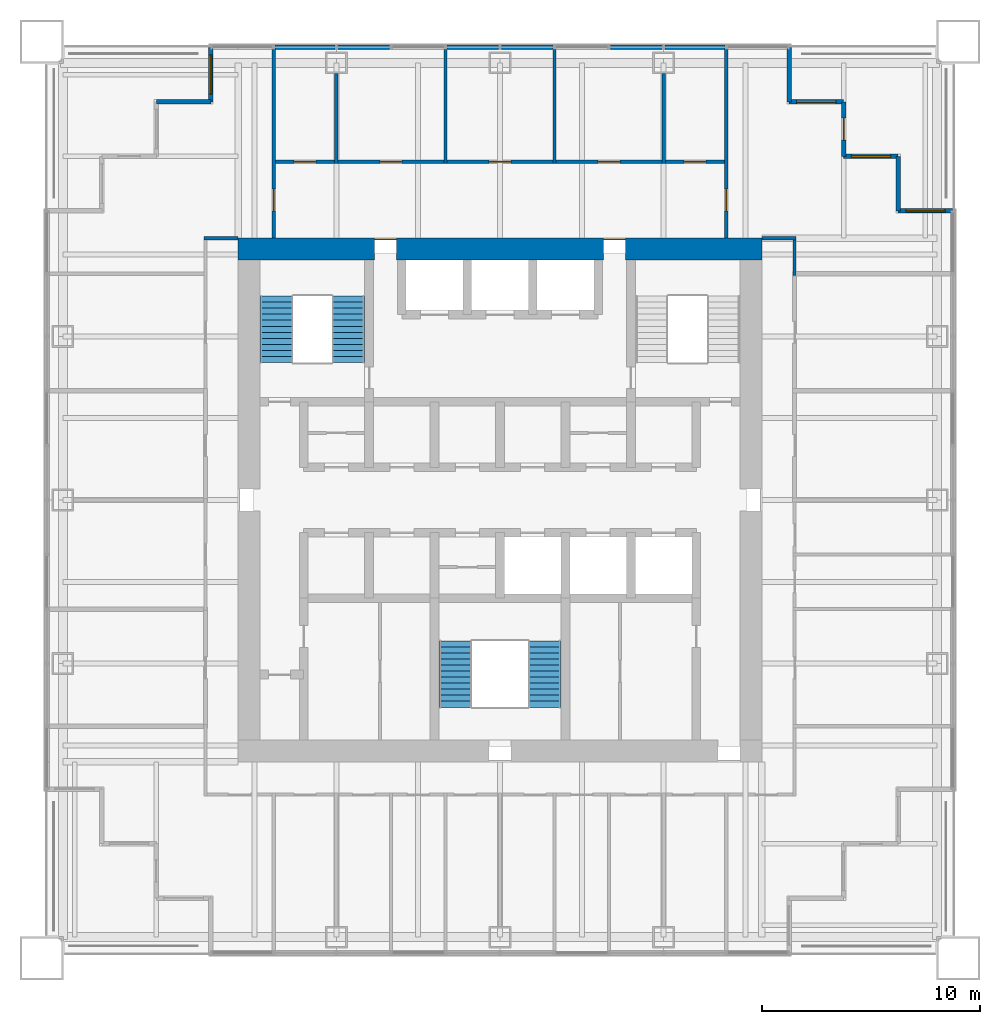
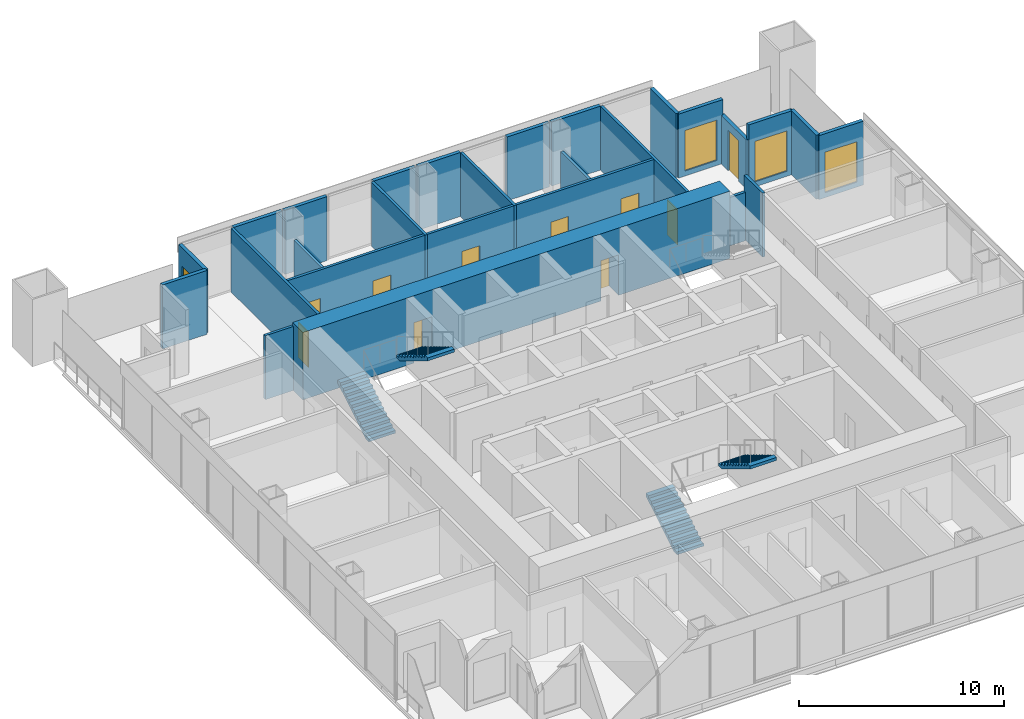
# One storey, part 12 of 15: 25 walls, 10 doors, 4 stair flights, 4 windows, 14 openings, 2 elements without a shape of their own.
"""IFC4 building model written with IfcOpenShell, lengths in metres."""

from ifc_helpers import new_model, si_unit, direction, frame, frame_2d, origin, place, context, subcontext, project, spatial, polyline, rectangle, outline, extrude, material, layer, layer_set, type_object, element, fill, aggregate, save


model = new_model("IFC4")

# Units and contexts
model_context = context("Model", 3, precision=1e-05, world=origin(), true_north=direction((0.0, 1.0)))
body_context = subcontext(model_context, "Body", "Model", "MODEL_VIEW")
ifc_project = project(units=[si_unit("LENGTHUNIT", "METRE"), si_unit("AREAUNIT", "SQUARE_METRE"), si_unit("VOLUMEUNIT", "CUBIC_METRE"), si_unit("PLANEANGLEUNIT", "RADIAN"), si_unit("MASSUNIT", "GRAM", prefix="KILO")], contexts=[model_context])

# Site, building, storey
site_placement = place(None, origin())
site = spatial("IfcSite", under=ifc_project, at=site_placement, CompositionType="ELEMENT")
building_placement = place(site_placement, origin())
building = spatial("IfcBuilding", under=site, at=building_placement, Name="Tarangal Relay Tower", CompositionType="ELEMENT")
storey_placement = place(building_placement, frame((0.0, 0.0, 331.89990234375)))
storey = spatial("IfcBuildingStorey", under=building, at=storey_placement, Name="L74", CompositionType="ELEMENT", Elevation=331.89990234375)

# Wall, openings, doors
ifc_material_1 = material(Name="Concrete fc' 60 MPa", Category="concrete")
ifc_layer_1 = layer(ifc_material_1, 1.0)
ifc_layer_set_1 = layer_set([ifc_layer_1], Name="Core wall 1000")
wall_type_1 = type_object("IfcWallType", Name="Core wall 1000", PredefinedType="SHEAR", material=ifc_layer_set_1)
wall_1_placement = place(storey_placement, frame((-12.0, 11.5, 0.0), z_axis=(0.0, 0.0, 1.0), x_axis=(1.0, 0.0, 0.0)))
wall_1 = element("IfcWall", 1, at=wall_1_placement, inside=storey, type_object=wall_type_1, Name="Core wall N L74", PredefinedType="SHEAR", context=body_context, shape_type="SweptSolid", body=[
    extrude(rectangle(XDim=24.0, YDim=1.0, at=frame_2d((12.0, 0.0))), origin(), (0.0, 0.0, 1.0), 4.0),
])
opening_1_placement = place(wall_1_placement, frame((6.25, 0.0, 0.0)))
opening_1 = element("IfcOpeningElement", 2, at=opening_1_placement, cuts=wall_1, Name="Opening FD3", PredefinedType="OPENING", context=body_context, shape_type="SweptSolid", body=[
    extrude(rectangle(XDim=1.0, YDim=2.39990234375, at=frame_2d((0.5, 1.199951171875))), frame((0.0, 0.510009765625, 0.0), z_axis=(0.0, -1.0, 0.0), x_axis=(1.0, 0.0, 0.0)), (0.0, 0.0, 1.0), 1.02001953125),
])
opening_2_placement = place(wall_1_placement, frame((16.75, 0.0, 0.0)))
opening_2 = element("IfcOpeningElement", 3, at=opening_2_placement, cuts=wall_1, Name="Opening FD3", PredefinedType="OPENING", context=body_context, shape_type="SweptSolid", body=[
    extrude(rectangle(XDim=1.0, YDim=2.39990234375, at=frame_2d((0.5, 1.199951171875))), frame((0.0, 0.510009765625, 0.0), z_axis=(0.0, -1.0, 0.0), x_axis=(1.0, 0.0, 0.0)), (0.0, 0.0, 1.0), 1.02001953125),
])
ifc_material_2 = material(Name="Steel door with hardwood frame", Category="steel")
door_type_1 = type_object("IfcDoorType", Name="Fire door 1000 x 2400 core entry", OperationType="SINGLE_SWING_RIGHT", PredefinedType="DOOR", material=ifc_material_2)
door_1_placement = place(opening_1_placement, origin())
door_1 = element("IfcDoor", 4, at=door_1_placement, inside=storey, type_object=door_type_1, Name="Core entry door north west L74", OperationType="SINGLE_SWING_RIGHT", OverallHeight=2.39990234375, OverallWidth=1.0, PredefinedType="DOOR", context=body_context, shape_type="SweptSolid", body=[
    extrude(rectangle(XDim=1.0, YDim=2.39990234375, at=frame_2d((0.5, 1.199951171875))), frame((0.0, 0.48486328125, 0.0), z_axis=(0.0, -1.0, 0.0), x_axis=(1.0, 0.0, 0.0)), (0.0, 0.0, 1.0), 0.050048828125),
])
fill(opening_1, door_1)
door_2_placement = place(opening_2_placement, origin())
door_2 = element("IfcDoor", 5, at=door_2_placement, inside=storey, type_object=door_type_1, Name="Core entry door north east L74", OperationType="SINGLE_SWING_RIGHT", OverallHeight=2.39990234375, OverallWidth=1.0, PredefinedType="DOOR", context=body_context, shape_type="SweptSolid", body=[
    extrude(rectangle(XDim=1.0, YDim=2.39990234375, at=frame_2d((0.5, 1.199951171875))), frame((0.0, 0.48486328125, 0.0), z_axis=(0.0, -1.0, 0.0), x_axis=(1.0, 0.0, 0.0)), (0.0, 0.0, 1.0), 0.050048828125),
])
fill(opening_2, door_2)

# Wall
ifc_material_3 = material(Name="Black metal clad insulated wall", Category="steel")
ifc_layer_2 = layer(ifc_material_3, 0.199951171875)
ifc_layer_set_2 = layer_set([ifc_layer_2], Name="Corner wall metal clad 200")
wall_type_2 = type_object("IfcWallType", Name="Corner wall metal clad 200", PredefinedType="SOLIDWALL", material=ifc_layer_set_2)
wall_2_placement = place(storey_placement, frame((13.25, 20.75, 0.0), z_axis=(0.0, 0.0, 1.0), x_axis=(0.0, -1.0, 0.0)))
element("IfcWall", 6, at=wall_2_placement, inside=storey, type_object=wall_type_2, Name="Facade wall N facade L74", PredefinedType="SOLIDWALL", context=body_context, shape_type="SweptSolid", body=[
    extrude(rectangle(XDim=2.5, YDim=0.199951171875, at=frame_2d((1.25, 0.0))), origin(), (0.0, 0.0, 1.0), 3.800048828125),
])

# Wall, opening, window
wall_3_placement = place(storey_placement, frame((13.25, 18.25, 0.0), z_axis=(0.0, 0.0, 1.0), x_axis=(1.0, 0.0, 0.0)))
wall_3 = element("IfcWall", 7, at=wall_3_placement, inside=storey, type_object=wall_type_2, Name="Facade wall N facade L74", PredefinedType="SOLIDWALL", context=body_context, shape_type="SweptSolid", body=[
    extrude(rectangle(XDim=2.5, YDim=0.199951171875, at=frame_2d((1.25, 0.0))), origin(), (0.0, 0.0, 1.0), 3.800048828125),
])
opening_3_placement = place(wall_3_placement, frame((0.35009765625, 0.0, 0.300048828125)))
opening_3 = element("IfcOpeningElement", 8, at=opening_3_placement, cuts=wall_3, Name="Opening WN2", PredefinedType="OPENING", context=body_context, shape_type="SweptSolid", body=[
    extrude(rectangle(XDim=1.800048828125, YDim=2.39990234375, at=frame_2d((0.89990234375, 1.199951171875))), frame((0.0, 0.10986328125, 0.0), z_axis=(0.0, -1.0, 0.0), x_axis=(1.0, 0.0, 0.0)), (0.0, 0.0, 1.0), 0.219970703125),
])
ifc_material_4 = material(Name="Dark tinted double glazing in black aluminium frame", Category="aluminium")
window_type = type_object("IfcWindowType", Name="Corner window 1800 x 2400", PartitioningType="SINGLE_PANEL", PredefinedType="WINDOW", material=ifc_material_4)
window_1_placement = place(opening_3_placement, origin())
window_1 = element("IfcWindow", 9, at=window_1_placement, inside=storey, type_object=window_type, Name="Corner window WN2 N facade L74", OverallHeight=2.39990234375, OverallWidth=1.800048828125, PartitioningType="SINGLE_PANEL", PredefinedType="WINDOW", context=body_context, shape_type="SweptSolid", body=[
    extrude(rectangle(XDim=1.800048828125, YDim=2.39990234375, at=frame_2d((0.89990234375, 1.199951171875))), frame((0.0, 0.030029296875, 0.0), z_axis=(0.0, -1.0, 0.0), x_axis=(1.0, 0.0, 0.0)), (0.0, 0.0, 1.0), 0.06005859375),
])
fill(opening_3, window_1)

# Wall, opening, door
wall_4_placement = place(storey_placement, frame((15.75, 18.25, 0.0), z_axis=(0.0, 0.0, 1.0), x_axis=(0.0, -1.0, 0.0)))
wall_4 = element("IfcWall", 10, at=wall_4_placement, inside=storey, type_object=wall_type_2, Name="Facade wall N facade L74", PredefinedType="SOLIDWALL", context=body_context, shape_type="SweptSolid", body=[
    extrude(rectangle(XDim=2.5, YDim=0.199951171875, at=frame_2d((1.25, 0.0))), origin(), (0.0, 0.0, 1.0), 2.88818359375),
])
opening_4_placement = place(wall_4_placement, frame((0.75, 0.0, 0.0)))
opening_4 = element("IfcOpeningElement", 11, at=opening_4_placement, cuts=wall_4, Name="Opening TD1", PredefinedType="OPENING", context=body_context, shape_type="SweptSolid", body=[
    extrude(rectangle(XDim=1.0, YDim=2.39990234375, at=frame_2d((0.5, 1.199951171875))), frame((0.0, 0.10986328125, 0.0), z_axis=(0.0, -1.0, 0.0), x_axis=(1.0, 0.0, 0.0)), (0.0, 0.0, 1.0), 0.219970703125),
])
ifc_material_5 = material(Name="Aluminium glazed door", Category="aluminium")
door_type_2 = type_object("IfcDoorType", Name="Terrace door 1000 x 2400", OperationType="SINGLE_SWING_RIGHT", PredefinedType="DOOR", material=ifc_material_5)
door_3_placement = place(opening_4_placement, origin())
door_3 = element("IfcDoor", 12, at=door_3_placement, inside=storey, type_object=door_type_2, Name="Terrace door TD1 NE L74", OperationType="SINGLE_SWING_RIGHT", OverallHeight=2.39990234375, OverallWidth=1.0, PredefinedType="DOOR", context=body_context, shape_type="SweptSolid", body=[
    extrude(rectangle(XDim=1.0, YDim=2.39990234375, at=frame_2d((0.5, 1.199951171875))), frame((0.0, 0.02490234375, 0.0), z_axis=(0.0, -1.0, 0.0), x_axis=(1.0, 0.0, 0.0)), (0.0, 0.0, 1.0), 0.050048828125),
])
fill(opening_4, door_3)

# Wall, opening, window
wall_5_placement = place(storey_placement, frame((15.75, 15.75, 0.0), z_axis=(0.0, 0.0, 1.0), x_axis=(1.0, 0.0, 0.0)))
wall_5 = element("IfcWall", 13, at=wall_5_placement, inside=storey, type_object=wall_type_2, Name="Facade wall N facade L74", PredefinedType="SOLIDWALL", context=body_context, shape_type="SweptSolid", body=[
    extrude(rectangle(XDim=2.5, YDim=0.199951171875, at=frame_2d((1.25, 0.0))), origin(), (0.0, 0.0, 1.0), 3.800048828125),
])
opening_5_placement = place(wall_5_placement, frame((0.35009765625, 0.0, 0.300048828125)))
opening_5 = element("IfcOpeningElement", 14, at=opening_5_placement, cuts=wall_5, Name="Opening WN2", PredefinedType="OPENING", context=body_context, shape_type="SweptSolid", body=[
    extrude(rectangle(XDim=1.800048828125, YDim=2.39990234375, at=frame_2d((0.89990234375, 1.199951171875))), frame((0.0, 0.10986328125, 0.0), z_axis=(0.0, -1.0, 0.0), x_axis=(1.0, 0.0, 0.0)), (0.0, 0.0, 1.0), 0.219970703125),
])
window_2_placement = place(opening_5_placement, origin())
window_2 = element("IfcWindow", 15, at=window_2_placement, inside=storey, type_object=window_type, Name="Corner window WN2 N facade L74", OverallHeight=2.39990234375, OverallWidth=1.800048828125, PartitioningType="SINGLE_PANEL", PredefinedType="WINDOW", context=body_context, shape_type="SweptSolid", body=[
    extrude(rectangle(XDim=1.800048828125, YDim=2.39990234375, at=frame_2d((0.89990234375, 1.199951171875))), frame((0.0, 0.030029296875, 0.0), z_axis=(0.0, -1.0, 0.0), x_axis=(1.0, 0.0, 0.0)), (0.0, 0.0, 1.0), 0.06005859375),
])
fill(opening_5, window_2)

# Wall
wall_6_placement = place(storey_placement, frame((18.25, 15.75, 0.0), z_axis=(0.0, 0.0, 1.0), x_axis=(0.0, -1.0, 0.0)))
element("IfcWall", 16, at=wall_6_placement, inside=storey, type_object=wall_type_2, Name="Facade wall N facade L74", PredefinedType="SOLIDWALL", context=body_context, shape_type="SweptSolid", body=[
    extrude(rectangle(XDim=2.5, YDim=0.199951171875, at=frame_2d((1.25, 0.0))), origin(), (0.0, 0.0, 1.0), 3.800048828125),
])

# Wall, opening, window
wall_7_placement = place(storey_placement, frame((18.25, 13.25, 0.0), z_axis=(0.0, 0.0, 1.0), x_axis=(1.0, 0.0, 0.0)))
wall_7 = element("IfcWall", 17, at=wall_7_placement, inside=storey, type_object=wall_type_2, Name="Facade wall N facade L74", PredefinedType="SOLIDWALL", context=body_context, shape_type="SweptSolid", body=[
    extrude(rectangle(XDim=2.5, YDim=0.199951171875, at=frame_2d((1.25, 0.0))), origin(), (0.0, 0.0, 1.0), 3.800048828125),
])
opening_6_placement = place(wall_7_placement, frame((0.35009765625, 0.0, 0.300048828125)))
opening_6 = element("IfcOpeningElement", 18, at=opening_6_placement, cuts=wall_7, Name="Opening WN2", PredefinedType="OPENING", context=body_context, shape_type="SweptSolid", body=[
    extrude(rectangle(XDim=1.800048828125, YDim=2.39990234375, at=frame_2d((0.89990234375, 1.199951171875))), frame((0.0, 0.10986328125, 0.0), z_axis=(0.0, -1.0, 0.0), x_axis=(1.0, 0.0, 0.0)), (0.0, 0.0, 1.0), 0.219970703125),
])
window_3_placement = place(opening_6_placement, origin())
window_3 = element("IfcWindow", 19, at=window_3_placement, inside=storey, type_object=window_type, Name="Corner window WN2 N facade L74", OverallHeight=2.39990234375, OverallWidth=1.800048828125, PartitioningType="SINGLE_PANEL", PredefinedType="WINDOW", context=body_context, shape_type="SweptSolid", body=[
    extrude(rectangle(XDim=1.800048828125, YDim=2.39990234375, at=frame_2d((0.89990234375, 1.199951171875))), frame((0.0, 0.030029296875, 0.0), z_axis=(0.0, -1.0, 0.0), x_axis=(1.0, 0.0, 0.0)), (0.0, 0.0, 1.0), 0.06005859375),
])
fill(opening_6, window_3)

# Wall
wall_8_placement = place(storey_placement, frame((-15.75, 18.25, 0.0), z_axis=(0.0, 0.0, 1.0), x_axis=(1.0, 0.0, 0.0)))
element("IfcWall", 20, at=wall_8_placement, inside=storey, type_object=wall_type_2, Name="Facade wall W facade L74", PredefinedType="SOLIDWALL", context=body_context, shape_type="SweptSolid", body=[
    extrude(rectangle(XDim=2.5, YDim=0.199951171875, at=frame_2d((1.25, 0.0))), origin(), (0.0, 0.0, 1.0), 3.800048828125),
])

# Wall, opening, window
wall_9_placement = place(storey_placement, frame((-13.25, 18.25, 0.0), z_axis=(0.0, 0.0, 1.0), x_axis=(0.0, 1.0, 0.0)))
wall_9 = element("IfcWall", 21, at=wall_9_placement, inside=storey, type_object=wall_type_2, Name="Facade wall W facade L74", PredefinedType="SOLIDWALL", context=body_context, shape_type="SweptSolid", body=[
    extrude(rectangle(XDim=2.5, YDim=0.199951171875, at=frame_2d((1.25, 0.0))), origin(), (0.0, 0.0, 1.0), 3.800048828125),
])
opening_7_placement = place(wall_9_placement, frame((0.35009765625, 0.0, 0.300048828125)))
opening_7 = element("IfcOpeningElement", 22, at=opening_7_placement, cuts=wall_9, Name="Opening WN2", PredefinedType="OPENING", context=body_context, shape_type="SweptSolid", body=[
    extrude(rectangle(XDim=1.800048828125, YDim=2.39990234375, at=frame_2d((0.89990234375, 1.199951171875))), frame((0.0, 0.10986328125, 0.0), z_axis=(0.0, -1.0, 0.0), x_axis=(1.0, 0.0, 0.0)), (0.0, 0.0, 1.0), 0.219970703125),
])
window_4_placement = place(opening_7_placement, origin())
window_4 = element("IfcWindow", 23, at=window_4_placement, inside=storey, type_object=window_type, Name="Corner window WN2 W facade L74", OverallHeight=2.39990234375, OverallWidth=1.800048828125, PartitioningType="SINGLE_PANEL", PredefinedType="WINDOW", context=body_context, shape_type="SweptSolid", body=[
    extrude(rectangle(XDim=1.800048828125, YDim=2.39990234375, at=frame_2d((0.89990234375, 1.199951171875))), frame((0.0, 0.030029296875, 0.0), z_axis=(0.0, -1.0, 0.0), x_axis=(1.0, 0.0, 0.0)), (0.0, 0.0, 1.0), 0.06005859375),
])
fill(opening_7, window_4)

# Walls
ifc_layer_3 = layer(ifc_material_3, 0.199951171875)
ifc_layer_set_3 = layer_set([ifc_layer_3], Name="Facade infill wall metal clad 200")
wall_type_3 = type_object("IfcWallType", Name="Facade infill wall metal clad 200", PredefinedType="SOLIDWALL", material=ifc_layer_set_3)
wall_10_placement = place(storey_placement, frame((-10.31494140625, 20.75, 0.0), z_axis=(0.0, 0.0, 1.0), x_axis=(1.0, 0.0, 0.0)))
element("IfcWall", 24, at=wall_10_placement, inside=storey, type_object=wall_type_3, Name="Facade infill wall N facade L74 1.1", PredefinedType="SOLIDWALL", context=body_context, shape_type="SweptSolid", body=[
    extrude(rectangle(XDim=2.7548828125, YDim=0.199951171875, at=frame_2d((1.37744140625, 0.0))), origin(), (0.0, 0.0, 1.0), 3.800048828125),
])
for number, where, z_axis, x_axis, name in (
    (25, (-7.43994140625, 20.75, 0.0), (0.0, 0.0, 1.0), (1.0, 0.0, 0.0), "Facade infill wall N facade L74 1.1"),
    (26, (-2.43994140625, 20.75, 0.0), (0.0, 0.0, 1.0), (1.0, 0.0, 0.0), "Facade infill wall N facade L74 1.1"),
    (27, (0.06005859375, 20.75, 0.0), (0.0, 0.0, 1.0), (1.0, 0.0, 0.0), "Facade infill wall N facade L74 1.1"),
    (28, (5.06005859375, 20.75, 0.0), (0.0, 0.0, 1.0), (1.0, 0.0, 0.0), "Facade infill wall N facade L74 1.1"),
):
    element("IfcWall", number, at=place(storey_placement, frame(where, z_axis=z_axis, x_axis=x_axis)), inside=storey, type_object=wall_type_3, Name=name, PredefinedType="SOLIDWALL", context=body_context, shape_type="SweptSolid", body=[
        extrude(rectangle(XDim=2.3798828125, YDim=0.199951171875, at=frame_2d((1.18994140625, 0.0))), origin(), (0.0, 0.0, 1.0), 3.800048828125),
    ])
wall_11_placement = place(storey_placement, frame((7.56005859375, 20.75, 0.0), z_axis=(0.0, 0.0, 1.0), x_axis=(1.0, 0.0, 0.0)))
element("IfcWall", 29, at=wall_11_placement, inside=storey, type_object=wall_type_3, Name="Facade infill wall N facade L74 1.1", PredefinedType="SOLIDWALL", context=body_context, shape_type="SweptSolid", body=[
    extrude(rectangle(XDim=2.7548828125, YDim=0.199951171875, at=frame_2d((1.37744140625, 0.0))), origin(), (0.0, 0.0, 1.0), 3.800048828125),
])
ifc_material_6 = material(Name="Gypsum board on steel studs", Category="steel")
ifc_layer_4 = layer(ifc_material_6, 0.14990234375)
ifc_layer_set_4 = layer_set([ifc_layer_4], Name="Partition 150")
wall_type_4 = type_object("IfcWallType", Name="Partition 150", PredefinedType="PARTITIONING", material=ifc_layer_set_4)
wall_12_placement = place(storey_placement, frame((-13.574951171875, 12.0, 0.0), z_axis=(0.0, 0.0, 1.0), x_axis=(1.0, 0.0, 0.0)))
element("IfcWall", 30, at=wall_12_placement, inside=storey, type_object=wall_type_4, Name="Partition PT1 L74", PredefinedType="PARTITIONING", context=body_context, shape_type="SweptSolid", body=[
    extrude(rectangle(XDim=1.574951171875, YDim=0.14990234375, at=frame_2d((0.78759765625, 0.0))), origin(), (0.0, 0.0, 1.0), 3.800048828125),
])
wall_13_placement = place(storey_placement, frame((12.0, 12.0, 0.0), z_axis=(0.0, 0.0, 1.0), x_axis=(1.0, 0.0, 0.0)))
element("IfcWall", 31, at=wall_13_placement, inside=storey, type_object=wall_type_4, Name="Partition PT1 L74", PredefinedType="PARTITIONING", context=body_context, shape_type="SweptSolid", body=[
    extrude(rectangle(XDim=1.574951171875, YDim=0.14990234375, at=frame_2d((0.78759765625, 0.0))), origin(), (0.0, 0.0, 1.0), 2.873046875),
])

# Wall, openings, doors
wall_14_placement = place(storey_placement, frame((-10.449951171875, 15.5, 0.0), z_axis=(0.0, 0.0, 1.0), x_axis=(1.0, 0.0, 0.0)))
wall_14 = element("IfcWall", 32, at=wall_14_placement, inside=storey, type_object=wall_type_4, Name="Partition PT1 L74", PredefinedType="PARTITIONING", context=body_context, shape_type="SweptSolid", body=[
    extrude(rectangle(XDim=20.89990234375, YDim=0.14990234375, at=frame_2d((10.449951171875, 0.0))), origin(), (0.0, 0.0, 1.0), 3.800048828125),
])
opening_8_placement = place(wall_14_placement, frame((1.012451171875, 0.0, 0.0)))
opening_8 = element("IfcOpeningElement", 33, at=opening_8_placement, cuts=wall_14, Name="Opening D2", PredefinedType="OPENING", context=body_context, shape_type="SweptSolid", body=[
    extrude(rectangle(XDim=1.0, YDim=2.10009765625, at=frame_2d((0.5, 1.050048828125))), frame((0.0, 0.0849609375, 0.0), z_axis=(0.0, -1.0, 0.0), x_axis=(1.0, 0.0, 0.0)), (0.0, 0.0, 1.0), 0.169921875),
])
opening_9_placement = place(wall_14_placement, frame((4.949951171875, 0.0, 0.0)))
opening_9 = element("IfcOpeningElement", 34, at=opening_9_placement, cuts=wall_14, Name="Opening D2", PredefinedType="OPENING", context=body_context, shape_type="SweptSolid", body=[
    extrude(rectangle(XDim=1.0, YDim=2.10009765625, at=frame_2d((0.5, 1.050048828125))), frame((0.0, 0.0849609375, 0.0), z_axis=(0.0, -1.0, 0.0), x_axis=(1.0, 0.0, 0.0)), (0.0, 0.0, 1.0), 0.169921875),
])
opening_10_placement = place(wall_14_placement, frame((9.949951171875, 0.0, 0.0)))
opening_10 = element("IfcOpeningElement", 35, at=opening_10_placement, cuts=wall_14, Name="Opening D2", PredefinedType="OPENING", context=body_context, shape_type="SweptSolid", body=[
    extrude(rectangle(XDim=1.0, YDim=2.10009765625, at=frame_2d((0.5, 1.050048828125))), frame((0.0, 0.0849609375, 0.0), z_axis=(0.0, -1.0, 0.0), x_axis=(1.0, 0.0, 0.0)), (0.0, 0.0, 1.0), 0.169921875),
])
opening_11_placement = place(wall_14_placement, frame((14.949951171875, 0.0, 0.0)))
opening_11 = element("IfcOpeningElement", 36, at=opening_11_placement, cuts=wall_14, Name="Opening D2", PredefinedType="OPENING", context=body_context, shape_type="SweptSolid", body=[
    extrude(rectangle(XDim=1.0, YDim=2.10009765625, at=frame_2d((0.5, 1.050048828125))), frame((0.0, 0.0849609375, 0.0), z_axis=(0.0, -1.0, 0.0), x_axis=(1.0, 0.0, 0.0)), (0.0, 0.0, 1.0), 0.169921875),
])
opening_12_placement = place(wall_14_placement, frame((18.887451171875, 0.0, 0.0)))
opening_12 = element("IfcOpeningElement", 37, at=opening_12_placement, cuts=wall_14, Name="Opening D2", PredefinedType="OPENING", context=body_context, shape_type="SweptSolid", body=[
    extrude(rectangle(XDim=1.0, YDim=2.10009765625, at=frame_2d((0.5, 1.050048828125))), frame((0.0, 0.0849609375, 0.0), z_axis=(0.0, -1.0, 0.0), x_axis=(1.0, 0.0, 0.0)), (0.0, 0.0, 1.0), 0.169921875),
])
ifc_material_7 = material(Name="Hardwood door", Category="wood")
door_type_3 = type_object("IfcDoorType", Name="Door 1000 x 2100", OperationType="SINGLE_SWING_LEFT", PredefinedType="DOOR", material=ifc_material_7)
door_4_placement = place(opening_8_placement, origin())
door_4 = element("IfcDoor", 38, at=door_4_placement, inside=storey, type_object=door_type_3, Name="Door D2 to executive office L74-03", OperationType="SINGLE_SWING_LEFT", OverallHeight=2.10009765625, OverallWidth=1.0, PredefinedType="DOOR", context=body_context, shape_type="SweptSolid", body=[
    extrude(rectangle(XDim=1.0, YDim=2.10009765625, at=frame_2d((0.5, 1.050048828125))), frame((0.0, 0.02490234375, 0.0), z_axis=(0.0, -1.0, 0.0), x_axis=(1.0, 0.0, 0.0)), (0.0, 0.0, 1.0), 0.050048828125),
])
fill(opening_8, door_4)
door_5_placement = place(opening_9_placement, origin())
door_5 = element("IfcDoor", 39, at=door_5_placement, inside=storey, type_object=door_type_3, Name="Door D2 to executive office L74-04", OperationType="SINGLE_SWING_LEFT", OverallHeight=2.10009765625, OverallWidth=1.0, PredefinedType="DOOR", context=body_context, shape_type="SweptSolid", body=[
    extrude(rectangle(XDim=1.0, YDim=2.10009765625, at=frame_2d((0.5, 1.050048828125))), frame((0.0, 0.02490234375, 0.0), z_axis=(0.0, -1.0, 0.0), x_axis=(1.0, 0.0, 0.0)), (0.0, 0.0, 1.0), 0.050048828125),
])
fill(opening_9, door_5)
door_6_placement = place(opening_10_placement, origin())
door_6 = element("IfcDoor", 40, at=door_6_placement, inside=storey, type_object=door_type_3, Name="Door D2 to executive office L74-05", OperationType="SINGLE_SWING_LEFT", OverallHeight=2.10009765625, OverallWidth=1.0, PredefinedType="DOOR", context=body_context, shape_type="SweptSolid", body=[
    extrude(rectangle(XDim=1.0, YDim=2.10009765625, at=frame_2d((0.5, 1.050048828125))), frame((0.0, 0.02490234375, 0.0), z_axis=(0.0, -1.0, 0.0), x_axis=(1.0, 0.0, 0.0)), (0.0, 0.0, 1.0), 0.050048828125),
])
fill(opening_10, door_6)
door_7_placement = place(opening_11_placement, origin())
door_7 = element("IfcDoor", 41, at=door_7_placement, inside=storey, type_object=door_type_3, Name="Door D2 to executive office L74-06", OperationType="SINGLE_SWING_LEFT", OverallHeight=2.10009765625, OverallWidth=1.0, PredefinedType="DOOR", context=body_context, shape_type="SweptSolid", body=[
    extrude(rectangle(XDim=1.0, YDim=2.10009765625, at=frame_2d((0.5, 1.050048828125))), frame((0.0, 0.02490234375, 0.0), z_axis=(0.0, -1.0, 0.0), x_axis=(1.0, 0.0, 0.0)), (0.0, 0.0, 1.0), 0.050048828125),
])
fill(opening_11, door_7)
door_8_placement = place(opening_12_placement, origin())
door_8 = element("IfcDoor", 42, at=door_8_placement, inside=storey, type_object=door_type_3, Name="Door D2 to executive office L74-07", OperationType="SINGLE_SWING_LEFT", OverallHeight=2.10009765625, OverallWidth=1.0, PredefinedType="DOOR", context=body_context, shape_type="SweptSolid", body=[
    extrude(rectangle(XDim=1.0, YDim=2.10009765625, at=frame_2d((0.5, 1.050048828125))), frame((0.0, 0.02490234375, 0.0), z_axis=(0.0, -1.0, 0.0), x_axis=(1.0, 0.0, 0.0)), (0.0, 0.0, 1.0), 0.050048828125),
])
fill(opening_12, door_8)

# Wall, opening, door
wall_15_placement = place(storey_placement, frame((-10.375, 12.0, 0.0), z_axis=(0.0, 0.0, 1.0), x_axis=(0.0, 1.0, 0.0)))
wall_15 = element("IfcWall", 43, at=wall_15_placement, inside=storey, type_object=wall_type_4, Name="Partition PT1 L74", PredefinedType="PARTITIONING", context=body_context, shape_type="SweptSolid", body=[
    extrude(rectangle(XDim=8.64990234375, YDim=0.14990234375, at=frame_2d((4.324951171875, 0.0))), origin(), (0.0, 0.0, 1.0), 3.800048828125),
])
opening_13_placement = place(wall_15_placement, frame((1.25, 0.0, 0.0)))
opening_13 = element("IfcOpeningElement", 44, at=opening_13_placement, cuts=wall_15, Name="Opening D2", PredefinedType="OPENING", context=body_context, shape_type="SweptSolid", body=[
    extrude(rectangle(XDim=1.0, YDim=2.10009765625, at=frame_2d((0.5, 1.050048828125))), frame((0.0, 0.0849609375, 0.0), z_axis=(0.0, -1.0, 0.0), x_axis=(1.0, 0.0, 0.0)), (0.0, 0.0, 1.0), 0.169921875),
])
door_9_placement = place(opening_13_placement, origin())
door_9 = element("IfcDoor", 45, at=door_9_placement, inside=storey, type_object=door_type_3, Name="Door D2 to executive office L74-28", OperationType="SINGLE_SWING_LEFT", OverallHeight=2.10009765625, OverallWidth=1.0, PredefinedType="DOOR", context=body_context, shape_type="SweptSolid", body=[
    extrude(rectangle(XDim=1.0, YDim=2.10009765625, at=frame_2d((0.5, 1.050048828125))), frame((0.0, 0.02490234375, 0.0), z_axis=(0.0, -1.0, 0.0), x_axis=(1.0, 0.0, 0.0)), (0.0, 0.0, 1.0), 0.050048828125),
])
fill(opening_13, door_9)

# Walls
wall_16_placement = place(storey_placement, frame((-7.5, 15.425048828125, 0.0), z_axis=(0.0, 0.0, 1.0), x_axis=(0.0, 1.0, 0.0)))
element("IfcWall", 46, at=wall_16_placement, inside=storey, type_object=wall_type_4, Name="Partition PT1 L74", PredefinedType="PARTITIONING", context=body_context, shape_type="SweptSolid", body=[
    extrude(rectangle(XDim=4.114990234375, YDim=0.14990234375, at=frame_2d((2.0576171875, 0.0))), origin(), (0.0, 0.0, 1.0), 2.768798828125),
])
for number, where, z_axis, x_axis, name in (
    (47, (-2.5, 15.425048828125, 0.0), (0.0, 0.0, 1.0), (0.0, 1.0, 0.0), "Partition PT1 L74"),
    (48, (2.5, 15.425048828125, 0.0), (0.0, 0.0, 1.0), (0.0, 1.0, 0.0), "Partition PT1 L74"),
):
    element("IfcWall", number, at=place(storey_placement, frame(where, z_axis=z_axis, x_axis=x_axis)), inside=storey, type_object=wall_type_4, Name=name, PredefinedType="PARTITIONING", context=body_context, shape_type="SweptSolid", body=[
        extrude(rectangle(XDim=5.224853515625, YDim=0.14990234375, at=frame_2d((2.6123046875, 0.0))), origin(), (0.0, 0.0, 1.0), 3.800048828125),
    ])
wall_17_placement = place(storey_placement, frame((7.5, 15.425048828125, 0.0), z_axis=(0.0, 0.0, 1.0), x_axis=(0.0, 1.0, 0.0)))
element("IfcWall", 49, at=wall_17_placement, inside=storey, type_object=wall_type_4, Name="Partition PT1 L74", PredefinedType="PARTITIONING", context=body_context, shape_type="SweptSolid", body=[
    extrude(rectangle(XDim=4.114990234375, YDim=0.14990234375, at=frame_2d((2.0576171875, 0.0))), origin(), (0.0, 0.0, 1.0), 2.768798828125),
])

# Wall, opening, door
wall_18_placement = place(storey_placement, frame((10.375, 12.0, 0.0), z_axis=(0.0, 0.0, 1.0), x_axis=(0.0, 1.0, 0.0)))
wall_18 = element("IfcWall", 50, at=wall_18_placement, inside=storey, type_object=wall_type_4, Name="Partition PT1 L74", PredefinedType="PARTITIONING", context=body_context, shape_type="SweptSolid", body=[
    extrude(rectangle(XDim=8.64990234375, YDim=0.14990234375, at=frame_2d((4.324951171875, 0.0))), origin(), (0.0, 0.0, 1.0), 3.800048828125),
])
opening_14_placement = place(wall_18_placement, frame((1.25, 0.0, 0.0)))
opening_14 = element("IfcOpeningElement", 51, at=opening_14_placement, cuts=wall_18, Name="Opening D2", PredefinedType="OPENING", context=body_context, shape_type="SweptSolid", body=[
    extrude(rectangle(XDim=1.0, YDim=2.10009765625, at=frame_2d((0.5, 1.050048828125))), frame((0.0, 0.0849609375, 0.0), z_axis=(0.0, -1.0, 0.0), x_axis=(1.0, 0.0, 0.0)), (0.0, 0.0, 1.0), 0.169921875),
])
door_10_placement = place(opening_14_placement, origin())
door_10 = element("IfcDoor", 52, at=door_10_placement, inside=storey, type_object=door_type_3, Name="Door D2 to chairman's office L74-25", OperationType="SINGLE_SWING_LEFT", OverallHeight=2.10009765625, OverallWidth=1.0, PredefinedType="DOOR", context=body_context, shape_type="SweptSolid", body=[
    extrude(rectangle(XDim=1.0, YDim=2.10009765625, at=frame_2d((0.5, 1.050048828125))), frame((0.0, 0.02490234375, 0.0), z_axis=(0.0, -1.0, 0.0), x_axis=(1.0, 0.0, 0.0)), (0.0, 0.0, 1.0), 0.050048828125),
])
fill(opening_14, door_10)

# Wall
wall_19_placement = place(storey_placement, frame((13.5, 10.300048828125, 0.0), z_axis=(0.0, 0.0, 1.0), x_axis=(0.0, 1.0, 0.0)))
element("IfcWall", 53, at=wall_19_placement, inside=storey, type_object=wall_type_4, Name="Partition PT1 L74", PredefinedType="PARTITIONING", context=body_context, shape_type="SweptSolid", body=[
    extrude(rectangle(XDim=1.77490234375, YDim=0.14990234375, at=frame_2d((0.887451171875, 0.0))), origin(), (0.0, 0.0, 1.0), 3.800048828125),
])

# Stair, stair flights
ifc_material_8 = material(Name="Steel ASTM A992 stair flight", Category="steel")
stair_type = type_object("IfcStairType", Name="Core stair 1500", PredefinedType="HALF_TURN_STAIR", material=ifc_material_8)
stair_1_placement = place(storey_placement, origin())
stair_1 = element("IfcStair", 54, at=stair_1_placement, inside=storey, type_object=stair_type, Name="Stair ST-A L74", PredefinedType="HALF_TURN_STAIR")
stair_flight_type = type_object("IfcStairFlightType", Name="Steel stair flight 1500, 12 risers 167 x 277", PredefinedType="STRAIGHT", material=ifc_material_8)
stair_flight_1_placement = place(storey_placement, frame((-10.25, 6.300048828125, 0.0), z_axis=(0.0, 0.0, 1.0), x_axis=(0.0, 1.0, 0.0)))
stair_flight_1 = element("IfcStairFlight", 55, at=stair_flight_1_placement, type_object=stair_flight_type, Name="ST-A flight 1", NumberOfRisers=12, NumberOfTreads=11, PredefinedType="STRAIGHT", RiserHeight=0.166666667, TreadLength=0.277, context=body_context, shape_type="SweptSolid", body=[
    extrude(outline(polyline([(0.0, 0.0), (0.0, 0.166748046875), (0.277099609375, 0.166748046875), (0.277099609375, 0.333251953125), (0.553955078125, 0.333251953125), (0.553955078125, 0.5), (0.8310546875, 0.5), (0.8310546875, 0.666748046875), (1.10791015625, 0.666748046875), (1.10791015625, 0.833251953125), (1.385009765625, 0.833251953125), (1.385009765625, 1.0), (1.662109375, 1.0), (1.662109375, 1.166748046875), (1.93896484375, 1.166748046875), (1.93896484375, 1.333251953125), (2.216064453125, 1.333251953125), (2.216064453125, 1.5), (2.492919921875, 1.5), (2.492919921875, 1.666748046875), (2.77001953125, 1.666748046875), (2.77001953125, 1.833251953125), (3.047119140625, 1.833251953125), (3.047119140625, 2.0), (3.047119140625, 1.658447265625), (0.290771484375, 0.0), (0.0, 0.0)])), frame((0.0, 0.75, 0.0), z_axis=(0.0, -1.0, 0.0), x_axis=(1.0, 0.0, 0.0)), (0.0, 0.0, 1.0), 1.5),
])
stair_flight_2_placement = place(storey_placement, frame((-6.949951171875, 9.346923828125, 2.0), z_axis=(0.0, 0.0, 1.0), x_axis=(0.0, -1.0, 0.0)))
stair_flight_2 = element("IfcStairFlight", 56, at=stair_flight_2_placement, type_object=stair_flight_type, Name="ST-A flight 2", NumberOfRisers=12, NumberOfTreads=11, PredefinedType="STRAIGHT", RiserHeight=0.166666667, TreadLength=0.277, context=body_context, shape_type="SweptSolid", body=[
    extrude(outline(polyline([(0.0, 0.0), (0.0, 0.166748046875), (0.277099609375, 0.166748046875), (0.277099609375, 0.333251953125), (0.553955078125, 0.333251953125), (0.553955078125, 0.5), (0.8310546875, 0.5), (0.8310546875, 0.666748046875), (1.10791015625, 0.666748046875), (1.10791015625, 0.833251953125), (1.385009765625, 0.833251953125), (1.385009765625, 1.0), (1.662109375, 1.0), (1.662109375, 1.166748046875), (1.93896484375, 1.166748046875), (1.93896484375, 1.333251953125), (2.216064453125, 1.333251953125), (2.216064453125, 1.5), (2.492919921875, 1.5), (2.492919921875, 1.666748046875), (2.77001953125, 1.666748046875), (2.77001953125, 1.833251953125), (3.047119140625, 1.833251953125), (3.047119140625, 2.0), (3.047119140625, 1.658447265625), (0.290771484375, 0.0), (0.0, 0.0)])), frame((0.0, 0.75, 0.0), z_axis=(0.0, -1.0, 0.0), x_axis=(1.0, 0.0, 0.0)), (0.0, 0.0, 1.0), 1.5),
])
aggregate(stair_1, [stair_flight_1, stair_flight_2])

stair_2_placement = place(storey_placement, origin())
stair_2 = element("IfcStair", 57, at=stair_2_placement, inside=storey, type_object=stair_type, Name="Stair ST-C L74", PredefinedType="HALF_TURN_STAIR")
stair_flight_3_placement = place(storey_placement, frame((-2.050048828125, -9.5, 0.0), z_axis=(0.0, 0.0, 1.0), x_axis=(0.0, 1.0, 0.0)))
stair_flight_3 = element("IfcStairFlight", 58, at=stair_flight_3_placement, type_object=stair_flight_type, Name="ST-C flight 1", NumberOfRisers=12, NumberOfTreads=11, PredefinedType="STRAIGHT", RiserHeight=0.166666667, TreadLength=0.277, context=body_context, shape_type="SweptSolid", body=[
    extrude(outline(polyline([(0.0, 0.0), (0.0, 0.166748046875), (0.277099609375, 0.166748046875), (0.277099609375, 0.333251953125), (0.553955078125, 0.333251953125), (0.553955078125, 0.5), (0.8310546875, 0.5), (0.8310546875, 0.666748046875), (1.10791015625, 0.666748046875), (1.10791015625, 0.833251953125), (1.385009765625, 0.833251953125), (1.385009765625, 1.0), (1.662109375, 1.0), (1.662109375, 1.166748046875), (1.93896484375, 1.166748046875), (1.93896484375, 1.333251953125), (2.216064453125, 1.333251953125), (2.216064453125, 1.5), (2.492919921875, 1.5), (2.492919921875, 1.666748046875), (2.77001953125, 1.666748046875), (2.77001953125, 1.833251953125), (3.047119140625, 1.833251953125), (3.047119140625, 2.0), (3.047119140625, 1.658447265625), (0.290771484375, 0.0), (0.0, 0.0)])), frame((0.0, 0.75, 0.0), z_axis=(0.0, -1.0, 0.0), x_axis=(1.0, 0.0, 0.0)), (0.0, 0.0, 1.0), 1.5),
])
stair_flight_4_placement = place(storey_placement, frame((2.050048828125, -6.452880859375, 2.0), z_axis=(0.0, 0.0, 1.0), x_axis=(0.0, -1.0, 0.0)))
stair_flight_4 = element("IfcStairFlight", 59, at=stair_flight_4_placement, type_object=stair_flight_type, Name="ST-C flight 2", NumberOfRisers=12, NumberOfTreads=11, PredefinedType="STRAIGHT", RiserHeight=0.166666667, TreadLength=0.277, context=body_context, shape_type="SweptSolid", body=[
    extrude(outline(polyline([(0.0, 0.0), (0.0, 0.166748046875), (0.277099609375, 0.166748046875), (0.277099609375, 0.333251953125), (0.553955078125, 0.333251953125), (0.553955078125, 0.5), (0.8310546875, 0.5), (0.8310546875, 0.666748046875), (1.10791015625, 0.666748046875), (1.10791015625, 0.833251953125), (1.385009765625, 0.833251953125), (1.385009765625, 1.0), (1.662109375, 1.0), (1.662109375, 1.166748046875), (1.93896484375, 1.166748046875), (1.93896484375, 1.333251953125), (2.216064453125, 1.333251953125), (2.216064453125, 1.5), (2.492919921875, 1.5), (2.492919921875, 1.666748046875), (2.77001953125, 1.666748046875), (2.77001953125, 1.833251953125), (3.047119140625, 1.833251953125), (3.047119140625, 2.0), (3.047119140625, 1.658447265625), (0.290771484375, 0.0), (0.0, 0.0)])), frame((0.0, 0.75, 0.0), z_axis=(0.0, -1.0, 0.0), x_axis=(1.0, 0.0, 0.0)), (0.0, 0.0, 1.0), 1.5),
])
aggregate(stair_2, [stair_flight_3, stair_flight_4])

save(model, "model.ifc")
